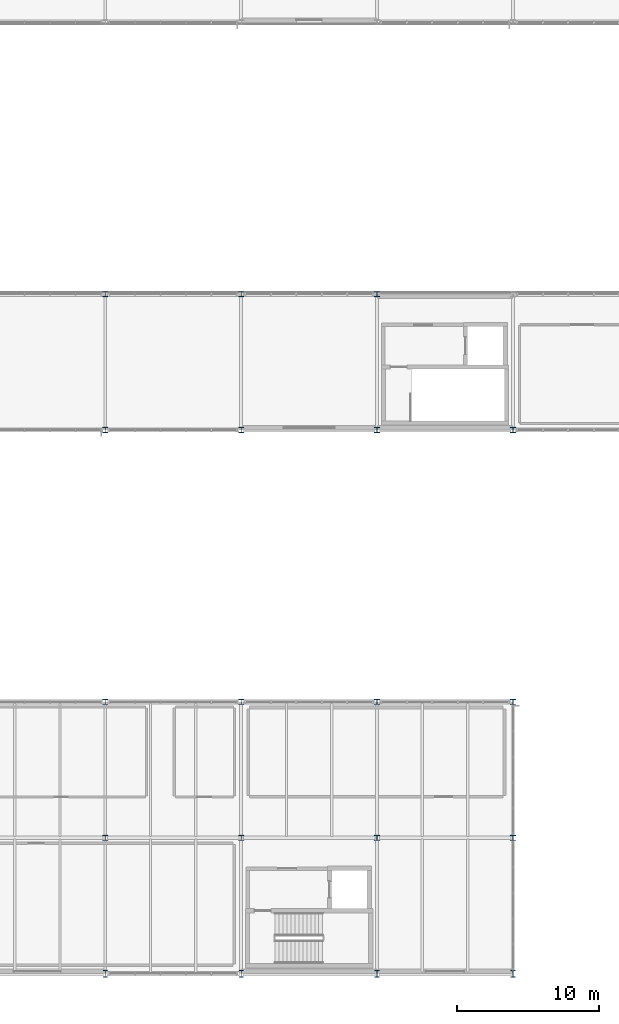
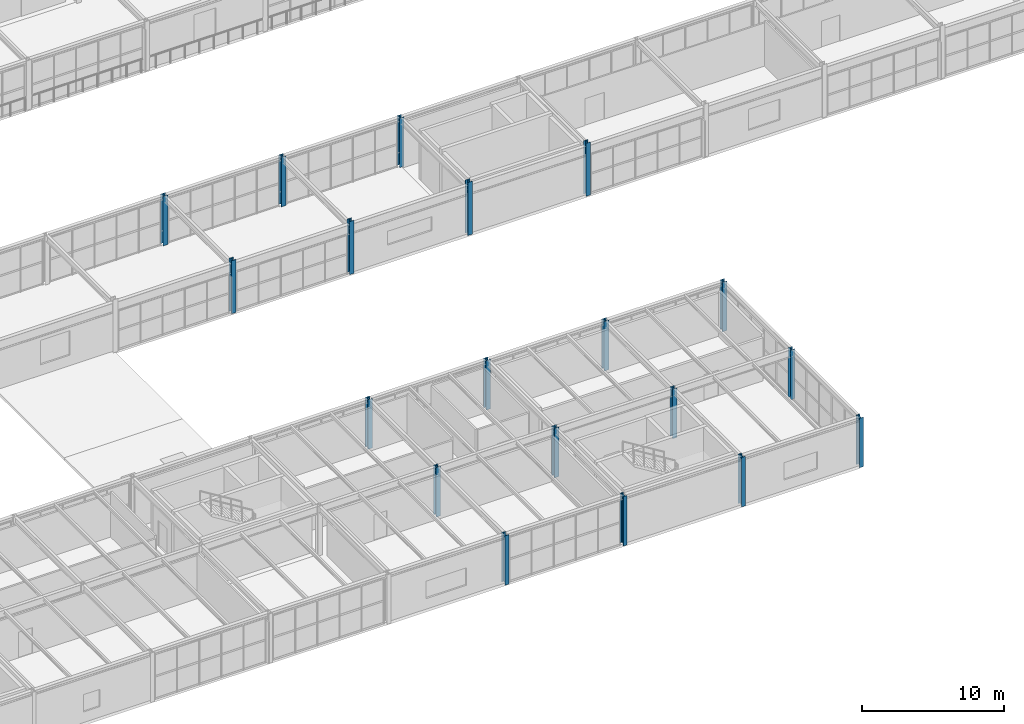
# One storey, part 5 of 170: 19 columns.
"""IFC4 building model written with IfcOpenShell, lengths in metres."""

import ifcopenshell
import ifcopenshell.guid

model = None  # the IFC model being written
_history = None  # IfcOwnerHistory: only IFC2X3 demands one
_inside = {}  # id of a spatial element -> (the spatial element, [elements in it])
_under = {}  # id of a project, library or spatial element -> (it, [spatial elements below it])
_declared = {}  # id of a project -> (the project, [libraries it declares])
_typed = {}  # id of a type object -> (the type object, [elements of that type])
_made_of = {}  # id of a material, layer set ... -> (it, [elements and type objects made of it])


def new_model(schema):
    """Start an empty IFC model of exactly this schema.

    Asked for "IFC4X3", IfcOpenShell would pick the latest addendum, in which some entities
    have other attributes; the version numbers below select the first issue.
    IFC2X3 requires an IfcOwnerHistory on every rooted entity: one is made here for all.
    """
    global model, _history
    if schema == "IFC4X3":
        model = ifcopenshell.file(schema_version=(4, 3, 0, 0))
    else:
        model = ifcopenshell.file(schema=schema)
    _inside.clear()
    _under.clear()
    _declared.clear()
    _typed.clear()
    _made_of.clear()
    _history = None
    if model.schema == "IFC2X3":
        org = make("IfcOrganization", Name="unknown")
        user = make(
            "IfcPersonAndOrganization",
            ThePerson=make("IfcPerson", FamilyName="unknown"),
            TheOrganization=org,
        )
        app = make(
            "IfcApplication",
            ApplicationDeveloper=org,
            Version="unknown",
            ApplicationFullName="unknown",
            ApplicationIdentifier="unknown",
        )
        _history = make(
            "IfcOwnerHistory",
            OwningUser=user,
            OwningApplication=app,
            ChangeAction="ADDED",
            CreationDate=0,
        )
    return model


def make(cls, **values):
    """One entity of the class cls with the attributes given. An attribute that is None is left unset."""
    return model.create_entity(
        cls, **{name: value for name, value in values.items() if value is not None}
    )


def rooted(cls, **values):
    """An entity with a GlobalId (a new one), such as an element, a storey or a relation."""
    return make(cls, GlobalId=ifcopenshell.guid.new(), OwnerHistory=_history, **values)


def si_unit(unit_type, name, prefix=None):
    """IfcSIUnit, for example si_unit("LENGTHUNIT", "METRE", prefix="MILLI")."""
    return make("IfcSIUnit", UnitType=unit_type, Prefix=prefix, Name=name)


def assignment(units):
    """IfcUnitAssignment: the units of a project."""
    return None if units is None else make("IfcUnitAssignment", Units=units)


def point(xyz):
    """IfcCartesianPoint."""
    return None if xyz is None else make("IfcCartesianPoint", Coordinates=xyz)


def direction(xyz):
    """IfcDirection."""
    return None if xyz is None else make("IfcDirection", DirectionRatios=xyz)


def frame(location, z_axis=None, x_axis=None):
    """IfcAxis2Placement3D, a coordinate frame: its origin and axes. An axis left out is left unset."""
    return make(
        "IfcAxis2Placement3D",
        Location=point(location),
        Axis=direction(z_axis),
        RefDirection=direction(x_axis),
    )


def frame_2d(location, x_axis=None):
    """IfcAxis2Placement2D, a coordinate frame in the plane: its origin and x axis."""
    return make(
        "IfcAxis2Placement2D", Location=point(location), RefDirection=direction(x_axis)
    )


def origin():
    """The frame at (0, 0, 0) with its axes left unset."""
    return frame((0.0, 0.0, 0.0))


def origin_2d():
    """The frame at (0, 0) in the plane with its x axis left unset."""
    return frame_2d((0.0, 0.0))


def place(relative_to, where):
    """IfcLocalPlacement: puts the frame where relative to a parent placement (None: the world)."""
    return make(
        "IfcLocalPlacement", PlacementRelTo=relative_to, RelativePlacement=where
    )


def context(
    kind, dimensions, precision=None, world=None, true_north=None, identifier=None
):
    """IfcGeometricRepresentationContext, for example the 3D "Model" context."""
    return make(
        "IfcGeometricRepresentationContext",
        ContextIdentifier=identifier,
        ContextType=kind,
        CoordinateSpaceDimension=dimensions,
        Precision=precision,
        WorldCoordinateSystem=world,
        TrueNorth=true_north,
    )


def subcontext(parent, identifier, kind, view, scale=None):
    """IfcGeometricRepresentationSubContext, for example "Body" below "Model"."""
    return make(
        "IfcGeometricRepresentationSubContext",
        ContextIdentifier=identifier,
        ContextType=kind,
        ParentContext=parent,
        TargetScale=scale,
        TargetView=view,
    )


def project(units=None, contexts=None):
    """IfcProject with its units and contexts."""
    return rooted(
        "IfcProject",
        Name="project",
        RepresentationContexts=contexts,
        UnitsInContext=assignment(units),
    )


def spatial(cls, under=None, at=None, **own):
    """A site, building, storey or space (cls), placed at a placement, below another one or the project."""
    s = rooted(cls, ObjectPlacement=at, **own)
    if under is not None:
        _under.setdefault(under.id(), (under, []))[1].append(s)
    return s


def profile(cls, at=None, kind="AREA", **sizes):
    """A parametric profile (cls). Its sizes go by their IFC names, for example OverallWidth=200.0."""
    return make(cls, ProfileType=kind, Position=at, **sizes)


def i_section(**sizes):
    """IfcIShapeProfileDef."""
    return profile("IfcIShapeProfileDef", **sizes)


def extrude(swept, where, along, depth):
    """IfcExtrudedAreaSolid: the profile swept, set in the frame where, extruded along a direction by depth."""
    return make(
        "IfcExtrudedAreaSolid",
        SweptArea=swept,
        Position=where,
        ExtrudedDirection=direction(along),
        Depth=depth,
    )


def shape(context_of_items, identifier, shape_type, items):
    """IfcShapeRepresentation: the items that make up one representation, for example the "Body"."""
    return make(
        "IfcShapeRepresentation",
        ContextOfItems=context_of_items,
        RepresentationIdentifier=identifier,
        RepresentationType=shape_type,
        Items=items,
    )


def material(Name=None, Category=None):
    """IfcMaterial."""
    return make("IfcMaterial", Name=Name, Category=Category)


def material_profile(
    of_material, cross_section, Name=None, Category=None, Priority=None
):
    """IfcMaterialProfile: a cross section and its material."""
    return make(
        "IfcMaterialProfile",
        Name=Name,
        Material=of_material,
        Profile=cross_section,
        Priority=Priority,
        Category=Category,
    )


def profile_set(profiles, Name=None, composite=None):
    """IfcMaterialProfileSet."""
    return make(
        "IfcMaterialProfileSet",
        Name=Name,
        MaterialProfiles=profiles,
        CompositeProfile=composite,
    )


def made_of(thing, what):
    """Note that an element or type object is made of a material, layer set ...; save() writes the relation."""
    if what is not None:
        _made_of.setdefault(what.id(), (what, []))[1].append(thing)
    return thing


def type_object(cls, material=None, **own):
    """A type object (cls), such as IfcWallType, which elements share."""
    return made_of(rooted(cls, **own), material)


def element(
    cls,
    number,
    at=None,
    inside=None,
    cuts=None,
    type_object=None,
    material=None,
    context=None,
    identifier="Body",
    shape_type=None,
    held_by="IfcProductDefinitionShape",
    body=None,
    shapes=None,
    **own,
):
    """One element of the class cls, such as IfcWall. Its Tag is "e" and its number.

    at: its placement. inside: the storey or other place that contains it. cuts: it is an
    opening in that element (IfcRelVoidsElement). A single representation is given by context,
    identifier, shape_type and body (its items); several are given by shapes. held_by: the class
    of the entity that holds the representations. save() writes the other relations.
    """
    e = rooted(cls, Tag="e%d" % number, ObjectPlacement=at, **own)
    if body is not None:
        shapes = [shape(context, identifier, shape_type, body)]
    if shapes is not None:
        e.Representation = make(held_by, Representations=shapes)
    if inside is not None:
        _inside.setdefault(inside.id(), (inside, []))[1].append(e)
    if cuts is not None:
        rooted(
            "IfcRelVoidsElement", RelatingBuildingElement=cuts, RelatedOpeningElement=e
        )
    if type_object is not None:
        _typed.setdefault(type_object.id(), (type_object, []))[1].append(e)
    return made_of(e, material)


def aggregate(whole, parts):
    """IfcRelAggregates: a whole, such as a stair, and the parts it consists of."""
    return rooted("IfcRelAggregates", RelatingObject=whole, RelatedObjects=parts)


def save(model, path):
    """Write the relations noted so far, then the file.

    IfcRelAggregates (storeys below a building ...), IfcRelContainedInSpatialStructure (elements
    in a storey), IfcRelDefinesByType, IfcRelAssociatesMaterial and IfcRelDeclares: one each for
    every whole, place, type object, material and project.
    """
    for whole, parts in _under.values():
        aggregate(whole, parts)
    for where, things in _inside.values():
        rooted(
            "IfcRelContainedInSpatialStructure",
            RelatedElements=things,
            RelatingStructure=where,
        )
    for kind, things in _typed.values():
        rooted("IfcRelDefinesByType", RelatedObjects=things, RelatingType=kind)
    for what, things in _made_of.values():
        rooted("IfcRelAssociatesMaterial", RelatedObjects=things, RelatingMaterial=what)
    for by, libraries in _declared.values():
        rooted("IfcRelDeclares", RelatingContext=by, RelatedDefinitions=libraries)
    model.write(path)


model = new_model("IFC4")

# Units and contexts
model_context = context("Model", 3, precision=1e-05, world=origin(), true_north=direction((0.0, 1.0)))
body_context = subcontext(model_context, "Body", "Model", "MODEL_VIEW")
ifc_project = project(units=[si_unit("LENGTHUNIT", "METRE"), si_unit("AREAUNIT", "SQUARE_METRE"), si_unit("VOLUMEUNIT", "CUBIC_METRE"), si_unit("PLANEANGLEUNIT", "RADIAN"), si_unit("MASSUNIT", "GRAM", prefix="KILO")], contexts=[model_context])

# Site, building, storey
site_placement = place(None, origin())
site = spatial("IfcSite", under=ifc_project, at=site_placement, CompositionType="ELEMENT")
building_placement = place(site_placement, origin())
building = spatial("IfcBuilding", under=site, at=building_placement, Name="Coralgate Yard Interchange", CompositionType="ELEMENT")
storey_placement = place(building_placement, frame((0.0, 0.0, 6.0)))
storey = spatial("IfcBuildingStorey", under=building, at=storey_placement, Name="L01", CompositionType="ELEMENT", Elevation=6.0)

# Columns
ifc_material = material(Name="Structural steel S355J2", Category="steel")
ifc_material_profile_1 = material_profile(ifc_material, i_section(OverallWidth=0.300048828125, OverallDepth=0.5, WebThickness=0.014404296875, FlangeThickness=0.028076171875, FilletRadius=0.027099609375, at=origin_2d()), Name="HEB 500")
ifc_profile_set_1 = profile_set([ifc_material_profile_1], Name="Structural steel S355J2")
column_type_1 = type_object("IfcColumnType", Name="COL-SC-10", PredefinedType="COLUMN", material=ifc_profile_set_1)
for number, where, z_axis, x_axis, name in (
    (1, (67.199951171875, 0.0, 0.0), (0.0, 0.0, 1.0), (1.0, 0.0, 0.0), "L01 structural column 7-0"),
    (2, (76.800048828125, 0.0, 0.0), (0.0, 0.0, 1.0), (1.0, 0.0, 0.0), "L01 structural column 8-0"),
    (3, (86.39990234375, 0.0, 0.0), (0.0, 0.0, 1.0), (1.0, 0.0, 0.0), "L01 structural column 9-0"),
    (4, (96.0, 0.0, 0.0), (0.0, 0.0, 1.0), (1.0, 0.0, 0.0), "L01 structural column 10-0"),
):
    element("IfcColumn", number, at=place(storey_placement, frame(where, z_axis=z_axis, x_axis=x_axis)), inside=storey, type_object=column_type_1, Name=name, PredefinedType="COLUMN", context=body_context, shape_type="SweptSolid", body=[
        extrude(i_section(OverallWidth=0.300048828125, OverallDepth=0.5, WebThickness=0.014404296875, FlangeThickness=0.028076171875, FilletRadius=0.027099609375, at=origin_2d()), origin(), (0.0, 0.0, 1.0), 4.25),
    ])
ifc_material_profile_2 = material_profile(ifc_material, i_section(OverallWidth=0.37255859375, OverallDepth=0.3681640625, WebThickness=0.014404296875, FlangeThickness=0.023681640625, FilletRadius=0.01513671875, at=origin_2d()), Name="UC 356x368x177")
ifc_profile_set_2 = profile_set([ifc_material_profile_2], Name="Structural steel S355J2")
column_type_2 = type_object("IfcColumnType", Name="COL-SC-3", PredefinedType="COLUMN", material=ifc_profile_set_2)
for number, where, z_axis, x_axis, name in (
    (5, (67.199951171875, 9.60009765625, 0.0), (0.0, 0.0, 1.0), (1.0, 0.0, 0.0), "L01 structural column 7-1"),
    (6, (67.199951171875, 19.199951171875, 0.0), (0.0, 0.0, 1.0), (1.0, 0.0, 0.0), "L01 structural column 7-2"),
):
    element("IfcColumn", number, at=place(storey_placement, frame(where, z_axis=z_axis, x_axis=x_axis)), inside=storey, type_object=column_type_2, Name=name, PredefinedType="COLUMN", context=body_context, shape_type="SweptSolid", body=[
        extrude(i_section(OverallWidth=0.37255859375, OverallDepth=0.3681640625, WebThickness=0.014404296875, FlangeThickness=0.023681640625, FilletRadius=0.01513671875, at=origin_2d()), origin(), (0.0, 0.0, 1.0), 4.25),
    ])
column_1_placement = place(storey_placement, frame((67.199951171875, 38.39990234375, 0.0), z_axis=(0.0, 0.0, 1.0), x_axis=(1.0, 0.0, 0.0)))
element("IfcColumn", 7, at=column_1_placement, inside=storey, type_object=column_type_2, Name="L01 structural column 7-4", PredefinedType="COLUMN", context=body_context, shape_type="SweptSolid", body=[
    extrude(i_section(OverallWidth=0.37255859375, OverallDepth=0.3681640625, WebThickness=0.014404296875, FlangeThickness=0.023681640625, FilletRadius=0.01513671875, at=origin_2d()), origin(), (0.0, 0.0, 1.0), 4.550048828125),
])
for number, where, z_axis, x_axis, name in (
    (8, (67.199951171875, 48.0, 0.0), (0.0, 0.0, 1.0), (1.0, 0.0, 0.0), "L01 structural column 7-5"),
    (9, (76.800048828125, 9.60009765625, 0.0), (0.0, 0.0, 1.0), (1.0, 0.0, 0.0), "L01 structural column 8-1"),
    (10, (76.800048828125, 19.199951171875, 0.0), (0.0, 0.0, 1.0), (1.0, 0.0, 0.0), "L01 structural column 8-2"),
):
    element("IfcColumn", number, at=place(storey_placement, frame(where, z_axis=z_axis, x_axis=x_axis)), inside=storey, type_object=column_type_2, Name=name, PredefinedType="COLUMN", context=body_context, shape_type="SweptSolid", body=[
        extrude(i_section(OverallWidth=0.37255859375, OverallDepth=0.3681640625, WebThickness=0.014404296875, FlangeThickness=0.023681640625, FilletRadius=0.01513671875, at=origin_2d()), origin(), (0.0, 0.0, 1.0), 4.25),
    ])
column_2_placement = place(storey_placement, frame((76.800048828125, 38.39990234375, 0.0), z_axis=(0.0, 0.0, 1.0), x_axis=(1.0, 0.0, 0.0)))
element("IfcColumn", 11, at=column_2_placement, inside=storey, type_object=column_type_2, Name="L01 structural column 8-4", PredefinedType="COLUMN", context=body_context, shape_type="SweptSolid", body=[
    extrude(i_section(OverallWidth=0.37255859375, OverallDepth=0.3681640625, WebThickness=0.014404296875, FlangeThickness=0.023681640625, FilletRadius=0.01513671875, at=origin_2d()), origin(), (0.0, 0.0, 1.0), 4.550048828125),
])
for number, where, z_axis, x_axis, name in (
    (12, (76.800048828125, 48.0, 0.0), (0.0, 0.0, 1.0), (1.0, 0.0, 0.0), "L01 structural column 8-5"),
    (13, (86.39990234375, 9.60009765625, 0.0), (0.0, 0.0, 1.0), (1.0, 0.0, 0.0), "L01 structural column 9-1"),
    (14, (86.39990234375, 19.199951171875, 0.0), (0.0, 0.0, 1.0), (1.0, 0.0, 0.0), "L01 structural column 9-2"),
):
    element("IfcColumn", number, at=place(storey_placement, frame(where, z_axis=z_axis, x_axis=x_axis)), inside=storey, type_object=column_type_2, Name=name, PredefinedType="COLUMN", context=body_context, shape_type="SweptSolid", body=[
        extrude(i_section(OverallWidth=0.37255859375, OverallDepth=0.3681640625, WebThickness=0.014404296875, FlangeThickness=0.023681640625, FilletRadius=0.01513671875, at=origin_2d()), origin(), (0.0, 0.0, 1.0), 4.25),
    ])
column_3_placement = place(storey_placement, frame((86.39990234375, 38.39990234375, 0.0), z_axis=(0.0, 0.0, 1.0), x_axis=(1.0, 0.0, 0.0)))
element("IfcColumn", 15, at=column_3_placement, inside=storey, type_object=column_type_2, Name="L01 structural column 9-4", PredefinedType="COLUMN", context=body_context, shape_type="SweptSolid", body=[
    extrude(i_section(OverallWidth=0.37255859375, OverallDepth=0.3681640625, WebThickness=0.014404296875, FlangeThickness=0.023681640625, FilletRadius=0.01513671875, at=origin_2d()), origin(), (0.0, 0.0, 1.0), 4.550048828125),
])
for number, where, z_axis, x_axis, name in (
    (16, (86.39990234375, 48.0, 0.0), (0.0, 0.0, 1.0), (1.0, 0.0, 0.0), "L01 structural column 9-5"),
    (17, (96.0, 9.60009765625, 0.0), (0.0, 0.0, 1.0), (1.0, 0.0, 0.0), "L01 structural column 10-1"),
    (18, (96.0, 19.199951171875, 0.0), (0.0, 0.0, 1.0), (1.0, 0.0, 0.0), "L01 structural column 10-2"),
):
    element("IfcColumn", number, at=place(storey_placement, frame(where, z_axis=z_axis, x_axis=x_axis)), inside=storey, type_object=column_type_2, Name=name, PredefinedType="COLUMN", context=body_context, shape_type="SweptSolid", body=[
        extrude(i_section(OverallWidth=0.37255859375, OverallDepth=0.3681640625, WebThickness=0.014404296875, FlangeThickness=0.023681640625, FilletRadius=0.01513671875, at=origin_2d()), origin(), (0.0, 0.0, 1.0), 4.25),
    ])
column_4_placement = place(storey_placement, frame((96.0, 38.39990234375, 0.0), z_axis=(0.0, 0.0, 1.0), x_axis=(1.0, 0.0, 0.0)))
element("IfcColumn", 19, at=column_4_placement, inside=storey, type_object=column_type_2, Name="L01 structural column 10-4", PredefinedType="COLUMN", context=body_context, shape_type="SweptSolid", body=[
    extrude(i_section(OverallWidth=0.37255859375, OverallDepth=0.3681640625, WebThickness=0.014404296875, FlangeThickness=0.023681640625, FilletRadius=0.01513671875, at=origin_2d()), origin(), (0.0, 0.0, 1.0), 4.550048828125),
])

save(model, "model.ifc")
